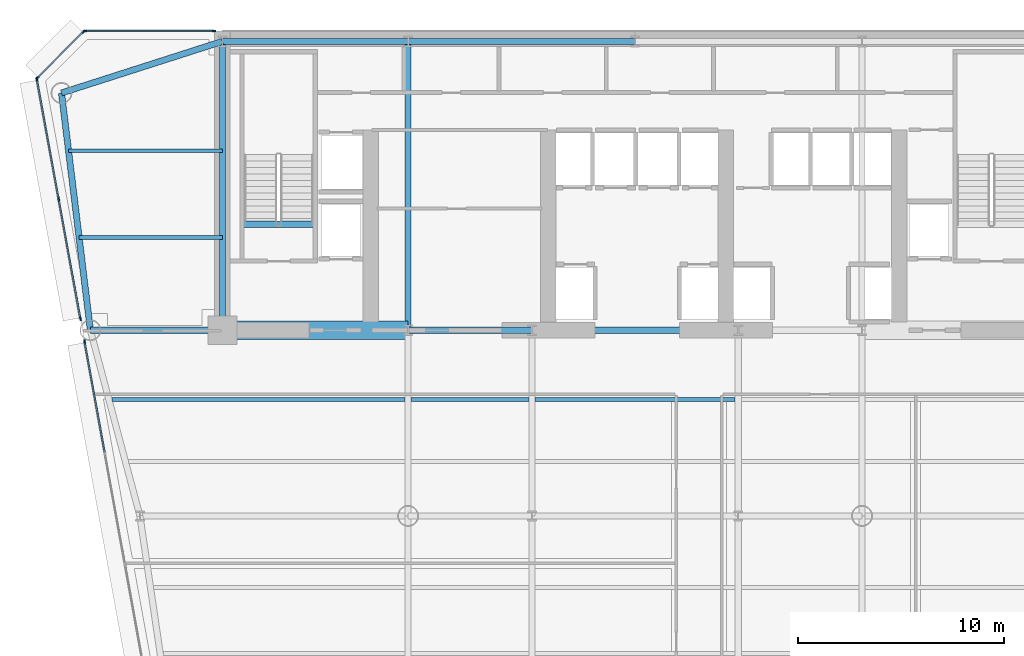
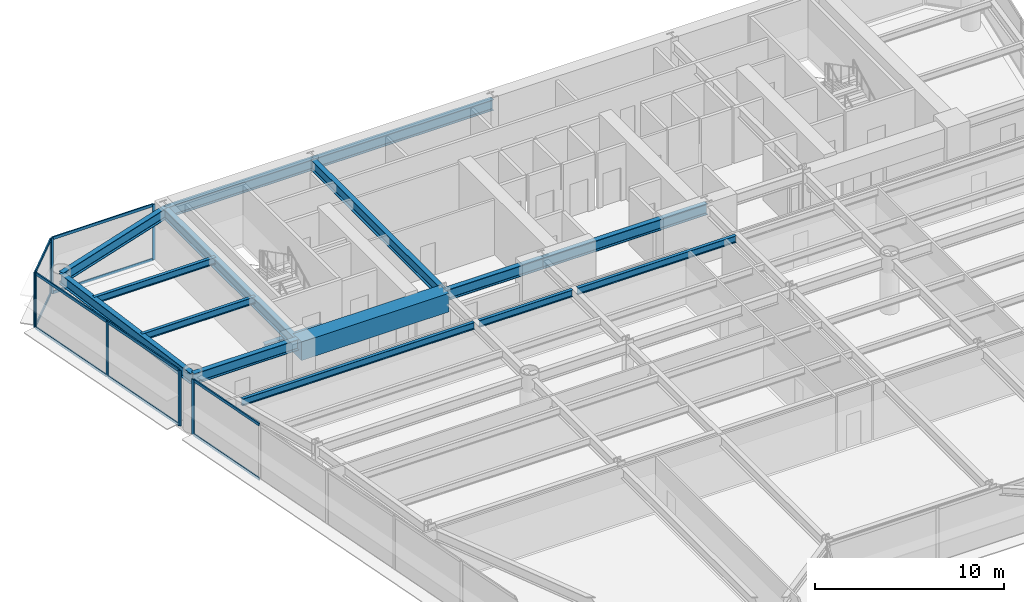
# One storey, part 5 of 14: 18 members, 16 beams, 4 elements without a shape of their own.
"""IFC4 building model written with IfcOpenShell, lengths in metres."""

from ifc_helpers import new_model, si_unit, direction, frame, origin, origin_2d, place, context, subcontext, project, spatial, rectangle, i_section, extrude, source, transform, mapped, material, layer, layer_set, material_profile, profile_set, type_object, element, aggregate, save


model = new_model("IFC4")

# Units and contexts
model_context = context("Model", 3, precision=1e-05, world=origin(), true_north=direction((0.0, 1.0)))
body_context = subcontext(model_context, "Body", "Model", "MODEL_VIEW")
ifc_project = project(units=[si_unit("LENGTHUNIT", "METRE"), si_unit("AREAUNIT", "SQUARE_METRE"), si_unit("VOLUMEUNIT", "CUBIC_METRE"), si_unit("PLANEANGLEUNIT", "RADIAN"), si_unit("MASSUNIT", "GRAM", prefix="KILO")], contexts=[model_context])

# Site, building, storey
site_placement = place(None, origin())
site = spatial("IfcSite", under=ifc_project, at=site_placement, CompositionType="ELEMENT")
building_placement = place(site_placement, origin())
building = spatial("IfcBuilding", under=site, at=building_placement, Name="Vaeldorn Concourse Tower", CompositionType="ELEMENT")
storey_placement = place(building_placement, frame((0.0, 0.0, 126.199951171875)))
storey = spatial("IfcBuildingStorey", under=building, at=storey_placement, Name="L32", CompositionType="ELEMENT", Elevation=126.199951171875)

# Beams
ifc_material_1 = material(Name="Concrete C60/75", Category="concrete")
ifc_material_profile_1 = material_profile(ifc_material_1, rectangle(XDim=0.89990234375, YDim=1.199951171875, at=origin_2d()), Name="RC 900x1200")
ifc_profile_set_1 = profile_set([ifc_material_profile_1], Name="Concrete C60/75")
beam_type_1 = type_object("IfcBeamType", Name="BM-CB-RC900", PredefinedType="BEAM", material=ifc_profile_set_1)
shared_shape_1 = source(origin(), body_context, "Body", "SweptSolid", [
    extrude(rectangle(XDim=0.89990234375, YDim=1.199951171875, at=origin_2d()), origin(), (0.0, 0.0, 1.0), 9.0),
])
beam_1_placement = place(storey_placement, frame((14.0, 36.5, 2.97998046875), z_axis=(1.0, 0.0, 0.0), x_axis=(0.0, 1.0, 0.0)))
element("IfcBeam", 1, at=beam_1_placement, inside=storey, type_object=beam_type_1, Name="Core Coupling Beam L32-1", PredefinedType="BEAM", context=body_context, shape_type="MappedRepresentation", body=[
    mapped(shared_shape_1, transform((0.0, 0.0, 0.0), scale=1.0)),
])
ifc_material_2 = material(Name="Steel S355", Category="steel")
ifc_material_profile_2 = material_profile(ifc_material_2, i_section(OverallWidth=0.300048828125, OverallDepth=0.340087890625, WebThickness=0.011962890625, FlangeThickness=0.021484375, FilletRadius=0.027099609375, at=origin_2d()), Name="HEB 340")
ifc_profile_set_2 = profile_set([ifc_material_profile_2], Name="Steel S355")
beam_type_2 = type_object("IfcBeamType", Name="BM-ST-TRIM", PredefinedType="BEAM", material=ifc_profile_set_2)
shared_shape_2 = source(origin(), body_context, "Body", "SweptSolid", [
    extrude(i_section(OverallWidth=0.300048828125, OverallDepth=0.340087890625, WebThickness=0.011962890625, FlangeThickness=0.021484375, FilletRadius=0.027099609375, at=origin_2d()), origin(), (0.0, 0.0, 1.0), 3.590087890625),
])
beam_2_placement = place(storey_placement, frame((14.929931640625, 41.639892578125, -0.389892578125), z_axis=(1.0, 0.0, 0.0), x_axis=(0.0, 1.0, 0.0)))
element("IfcBeam", 2, at=beam_2_placement, inside=storey, type_object=beam_type_2, Name="Stair Landing Trimmer Beam ST-1 L32", PredefinedType="BEAM", context=body_context, shape_type="MappedRepresentation", body=[
    mapped(shared_shape_2, transform((0.0, 0.0, 0.0), scale=1.0)),
])
ifc_material_profile_3 = material_profile(ifc_material_2, i_section(OverallWidth=0.300048828125, OverallDepth=0.699951171875, WebThickness=0.01708984375, FlangeThickness=0.031982421875, FilletRadius=0.027099609375, at=origin_2d()), Name="HEB 700")
ifc_profile_set_3 = profile_set([ifc_material_profile_3], Name="Steel S355")
beam_type_3 = type_object("IfcBeamType", Name="BM-PG-HEB700", PredefinedType="BEAM", material=ifc_profile_set_3)
shared_shape_3 = source(origin(), body_context, "Body", "SweptSolid", [
    extrude(i_section(OverallWidth=0.300048828125, OverallDepth=0.699951171875, WebThickness=0.01708984375, FlangeThickness=0.031982421875, FilletRadius=0.027099609375, at=origin_2d()), origin(), (0.0, 0.0, 1.0), 6.0),
])
beam_3_placement = place(storey_placement, frame((23.0, 36.5, 3.22998046875), z_axis=(1.0, 0.0, 0.0), x_axis=(0.0, 1.0, 0.0)))
element("IfcBeam", 3, at=beam_3_placement, inside=storey, type_object=beam_type_3, Name="Beam BM-L32-C-FC2-C-FC3", PredefinedType="BEAM", context=body_context, shape_type="MappedRepresentation", body=[
    mapped(shared_shape_3, transform((0.0, 0.0, 0.0), scale=1.0)),
])
shared_shape_4 = source(origin(), body_context, "Body", "SweptSolid", [
    extrude(i_section(OverallWidth=0.300048828125, OverallDepth=0.699951171875, WebThickness=0.01708984375, FlangeThickness=0.031982421875, FilletRadius=0.027099609375, at=origin_2d()), origin(), (0.0, 0.0, 1.0), 10.0),
])
beam_4_placement = place(storey_placement, frame((29.0, 36.5, 3.22998046875), z_axis=(1.0, 0.0, 0.0), x_axis=(0.0, 1.0, 0.0)))
element("IfcBeam", 4, at=beam_4_placement, inside=storey, type_object=beam_type_3, Name="Beam BM-L32-C-FC3-C-FC4", PredefinedType="BEAM", context=body_context, shape_type="MappedRepresentation", body=[
    mapped(shared_shape_4, transform((0.0, 0.0, 0.0), scale=1.0)),
])
shared_shape_5 = source(origin(), body_context, "Body", "SweptSolid", [
    extrude(i_section(OverallWidth=0.300048828125, OverallDepth=0.699951171875, WebThickness=0.01708984375, FlangeThickness=0.031982421875, FilletRadius=0.027099609375, at=origin_2d()), origin(), (0.0, 0.0, 1.0), 9.0),
])
beam_5_placement = place(storey_placement, frame((14.0, 50.5, 3.22998046875), z_axis=(1.0, 0.0, 0.0), x_axis=(0.0, 1.0, 0.0)))
element("IfcBeam", 5, at=beam_5_placement, inside=storey, type_object=beam_type_3, Name="Beam BM-L32-C-HC1-C-HC2", PredefinedType="BEAM", context=body_context, shape_type="MappedRepresentation", body=[
    mapped(shared_shape_5, transform((0.0, 0.0, 0.0), scale=1.0)),
])
shared_shape_6 = source(origin(), body_context, "Body", "SweptSolid", [
    extrude(i_section(OverallWidth=0.300048828125, OverallDepth=0.699951171875, WebThickness=0.01708984375, FlangeThickness=0.031982421875, FilletRadius=0.027099609375, at=origin_2d()), origin(), (0.0, 0.0, 1.0), 11.0),
])
beam_6_placement = place(storey_placement, frame((23.0, 50.5, 3.22998046875), z_axis=(1.0, 0.0, 0.0), x_axis=(0.0, 1.0, 0.0)))
element("IfcBeam", 6, at=beam_6_placement, inside=storey, type_object=beam_type_3, Name="Beam BM-L32-C-HC2-C-HC3", PredefinedType="BEAM", context=body_context, shape_type="MappedRepresentation", body=[
    mapped(shared_shape_6, transform((0.0, 0.0, 0.0), scale=1.0)),
])
shared_shape_7 = source(origin(), body_context, "Body", "SweptSolid", [
    extrude(i_section(OverallWidth=0.300048828125, OverallDepth=0.699951171875, WebThickness=0.01708984375, FlangeThickness=0.031982421875, FilletRadius=0.027099609375, at=origin_2d()), origin(), (0.0, 0.0, 1.0), 14.0),
])
for number, where, z_axis, x_axis, name in (
    (7, (14.0, 36.5, 3.22998046875), (0.0, 1.0, 0.0), (-1.0, 0.0, 0.0), "Beam BM-L32-C-FC1-C-HC1"),
    (8, (23.0, 36.5, 3.22998046875), (0.0, 1.0, 0.0), (-1.0, 0.0, 0.0), "Beam BM-L32-C-FC2-C-HC2"),
):
    element("IfcBeam", number, at=place(storey_placement, frame(where, z_axis=z_axis, x_axis=x_axis)), inside=storey, type_object=beam_type_3, Name=name, PredefinedType="BEAM", context=body_context, shape_type="MappedRepresentation", body=[
        mapped(shared_shape_7, transform((0.0, 0.0, 0.0), scale=1.0)),
    ])
shared_shape_8 = source(origin(), body_context, "Body", "SweptSolid", [
    extrude(i_section(OverallWidth=0.300048828125, OverallDepth=0.699951171875, WebThickness=0.01708984375, FlangeThickness=0.031982421875, FilletRadius=0.027099609375, at=origin_2d()), origin(), (0.0, 0.0, 1.0), 8.19091796875),
])
beam_7_placement = place(storey_placement, frame((6.199951171875, 48.0, 3.22998046875), z_axis=(0.952282843383, 0.305216949396, 0.0), x_axis=(-0.305216949396, 0.952282843383, 0.0)))
element("IfcBeam", 9, at=beam_7_placement, inside=storey, type_object=beam_type_3, Name="Beam BM-L32-C-NW1-C-HC1", PredefinedType="BEAM", context=body_context, shape_type="MappedRepresentation", body=[
    mapped(shared_shape_8, transform((0.0, 0.0, 0.0), scale=1.0)),
])
shared_shape_9 = source(origin(), body_context, "Body", "SweptSolid", [
    extrude(i_section(OverallWidth=0.300048828125, OverallDepth=0.699951171875, WebThickness=0.01708984375, FlangeThickness=0.031982421875, FilletRadius=0.027099609375, at=origin_2d()), origin(), (0.0, 0.0, 1.0), 11.5849609375),
])
beam_8_placement = place(storey_placement, frame((6.199951171875, 48.0, 3.22998046875), z_axis=(0.120859382899, -0.992669637677, 0.0), x_axis=(0.992669637677, 0.120859382899, 0.0)))
element("IfcBeam", 10, at=beam_8_placement, inside=storey, type_object=beam_type_3, Name="Beam BM-L32-C-NW1-C-NW2", PredefinedType="BEAM", context=body_context, shape_type="MappedRepresentation", body=[
    mapped(shared_shape_9, transform((0.0, 0.0, 0.0), scale=1.0)),
])
shared_shape_10 = source(origin(), body_context, "Body", "SweptSolid", [
    extrude(i_section(OverallWidth=0.300048828125, OverallDepth=0.699951171875, WebThickness=0.01708984375, FlangeThickness=0.031982421875, FilletRadius=0.027099609375, at=origin_2d()), origin(), (0.0, 0.0, 1.0), 6.39990234375),
])
beam_9_placement = place(storey_placement, frame((7.60009765625, 36.5, 3.22998046875), z_axis=(1.0, 0.0, 0.0), x_axis=(0.0, 1.0, 0.0)))
element("IfcBeam", 11, at=beam_9_placement, inside=storey, type_object=beam_type_3, Name="Beam BM-L32-C-NW2-C-FC1", PredefinedType="BEAM", context=body_context, shape_type="MappedRepresentation", body=[
    mapped(shared_shape_10, transform((0.0, 0.0, 0.0), scale=1.0)),
])
ifc_material_profile_4 = material_profile(ifc_material_2, i_section(OverallWidth=0.18994140625, OverallDepth=0.449951171875, WebThickness=0.009521484375, FlangeThickness=0.0146484375, FilletRadius=0.02099609375, at=origin_2d()), Name="IPE 450")
ifc_profile_set_4 = profile_set([ifc_material_profile_4], Name="Steel S355")
beam_type_4 = type_object("IfcBeamType", Name="BM-JS-IPE450", PredefinedType="JOIST", material=ifc_profile_set_4)
shared_shape_11 = source(origin(), body_context, "Body", "SweptSolid", [
    extrude(i_section(OverallWidth=0.18994140625, OverallDepth=0.449951171875, WebThickness=0.009521484375, FlangeThickness=0.0146484375, FilletRadius=0.02099609375, at=origin_2d()), origin(), (0.0, 0.0, 1.0), 5.7001953125),
])
beam_10_placement = place(storey_placement, frame((23.14990234375, 33.139892578125, 3.35498046875), z_axis=(1.0, 0.0, 0.0), x_axis=(0.0, 1.0, 0.0)))
element("IfcBeam", 12, at=beam_10_placement, inside=storey, type_object=beam_type_4, Name="Beam JS-L32-W2-331", PredefinedType="JOIST", context=body_context, shape_type="MappedRepresentation", body=[
    mapped(shared_shape_11, transform((0.0, 0.0, 0.0), scale=1.0)),
])
shared_shape_12 = source(origin(), body_context, "Body", "SweptSolid", [
    extrude(i_section(OverallWidth=0.18994140625, OverallDepth=0.449951171875, WebThickness=0.009521484375, FlangeThickness=0.0146484375, FilletRadius=0.02099609375, at=origin_2d()), origin(), (0.0, 0.0, 1.0), 9.7001953125),
])
beam_11_placement = place(storey_placement, frame((29.14990234375, 33.139892578125, 3.35498046875), z_axis=(1.0, 0.0, 0.0), x_axis=(0.0, 1.0, 0.0)))
element("IfcBeam", 13, at=beam_11_placement, inside=storey, type_object=beam_type_4, Name="Beam JS-L32-C-331", PredefinedType="JOIST", context=body_context, shape_type="MappedRepresentation", body=[
    mapped(shared_shape_12, transform((0.0, 0.0, 0.0), scale=1.0)),
])
shared_shape_13 = source(origin(), body_context, "Body", "SweptSolid", [
    extrude(i_section(OverallWidth=0.18994140625, OverallDepth=0.449951171875, WebThickness=0.009521484375, FlangeThickness=0.0146484375, FilletRadius=0.02099609375, at=origin_2d()), origin(), (0.0, 0.0, 1.0), 14.2041015625),
])
beam_12_placement = place(storey_placement, frame((8.64599609375, 33.139892578125, 3.35498046875), z_axis=(1.0, 0.0, 0.0), x_axis=(0.0, 1.0, 0.0)))
element("IfcBeam", 14, at=beam_12_placement, inside=storey, type_object=beam_type_4, Name="Beam JS-L32-W1-331", PredefinedType="JOIST", context=body_context, shape_type="MappedRepresentation", body=[
    mapped(shared_shape_13, transform((0.0, 0.0, 0.0), scale=1.0)),
])
shared_shape_14 = source(origin(), body_context, "Body", "SweptSolid", [
    extrude(i_section(OverallWidth=0.18994140625, OverallDepth=0.449951171875, WebThickness=0.009521484375, FlangeThickness=0.0146484375, FilletRadius=0.02099609375, at=origin_2d()), origin(), (0.0, 0.0, 1.0), 6.94775390625),
])
beam_13_placement = place(storey_placement, frame((7.05224609375, 41.0, 3.35498046875), z_axis=(1.0, 0.0, 0.0), x_axis=(0.0, 1.0, 0.0)))
element("IfcBeam", 15, at=beam_13_placement, inside=storey, type_object=beam_type_4, Name="Beam JS-L32-NW-410", PredefinedType="JOIST", context=body_context, shape_type="MappedRepresentation", body=[
    mapped(shared_shape_14, transform((0.0, 0.0, 0.0), scale=1.0)),
])
shared_shape_15 = source(origin(), body_context, "Body", "SweptSolid", [
    extrude(i_section(OverallWidth=0.18994140625, OverallDepth=0.449951171875, WebThickness=0.009521484375, FlangeThickness=0.0146484375, FilletRadius=0.02099609375, at=origin_2d()), origin(), (0.0, 0.0, 1.0), 7.458984375),
])
beam_14_placement = place(storey_placement, frame((6.541015625, 45.199951171875, 3.35498046875), z_axis=(1.0, 0.0, 0.0), x_axis=(0.0, 1.0, 0.0)))
element("IfcBeam", 16, at=beam_14_placement, inside=storey, type_object=beam_type_4, Name="Beam JS-L32-NW-452", PredefinedType="JOIST", context=body_context, shape_type="MappedRepresentation", body=[
    mapped(shared_shape_15, transform((0.0, 0.0, 0.0), scale=1.0)),
])

# Curtain wall, members
ifc_material_3 = material(Name="Anodised Bronze Aluminium", Category="aluminium")
ifc_layer = layer(ifc_material_3, 0.199951171875)
ifc_layer_set = layer_set([ifc_layer], Name="Anodised Bronze Aluminium")
curtain_wall_type = type_object("IfcCurtainWallType", Name="CW-SYS-02", PredefinedType="NOTDEFINED", material=ifc_layer_set)
curtain_wall_1_placement = place(storey_placement, origin())
curtain_wall_1 = element("IfcCurtainWall", 17, at=curtain_wall_1_placement, inside=storey, type_object=curtain_wall_type, Name="Unitised Curtain Wall CW-L32-E10-1", PredefinedType="NOTDEFINED")
ifc_material_profile_5 = material_profile(ifc_material_3, rectangle(XDim=0.074951171875, YDim=0.179931640625, at=origin_2d()), Name="CWT 75x180")
ifc_profile_set_5 = profile_set([ifc_material_profile_5], Name="Anodised Bronze Aluminium")
member_type_1 = type_object("IfcMemberType", Name="CWT-BRONZE-180", PredefinedType="USERDEFINED", material=ifc_profile_set_5)
shared_shape_16 = source(origin(), body_context, "Body", "SweptSolid", [
    extrude(rectangle(XDim=0.074951171875, YDim=0.179931640625, at=origin_2d()), origin(), (0.0, 0.0, 1.0), 3.10302734375),
])
member_1_placement = place(storey_placement, frame((7.2470703125, 50.947021484375, 0.03759765625), z_axis=(-0.707106781187, -0.707106781187, 0.0), x_axis=(0.707106781187, -0.707106781187, 0.0)))
member_1 = element("IfcMember", 18, at=member_1_placement, type_object=member_type_1, Name="CW-02 transom 1.1", ObjectType="TRANSOM", PredefinedType="USERDEFINED", context=body_context, shape_type="MappedRepresentation", body=[
    mapped(shared_shape_16, transform((0.0, 0.0, 0.0), scale=1.0)),
])
member_2_placement = place(storey_placement, frame((7.2470703125, 50.947021484375, 3.54248046875), z_axis=(-0.707106781187, -0.707106781187, 0.0), x_axis=(0.707106781187, -0.707106781187, 0.0)))
member_2 = element("IfcMember", 19, at=member_2_placement, type_object=member_type_1, Name="CW-02 transom 1.2", ObjectType="TRANSOM", PredefinedType="USERDEFINED", context=body_context, shape_type="MappedRepresentation", body=[
    mapped(shared_shape_16, transform((0.0, 0.0, 0.0), scale=1.0)),
])

curtain_wall_2_placement = place(storey_placement, origin())
curtain_wall_2 = element("IfcCurtainWall", 20, at=curtain_wall_2_placement, inside=storey, type_object=curtain_wall_type, Name="Unitised Curtain Wall CW-L32-E09-2", PredefinedType="NOTDEFINED")
ifc_material_profile_6 = material_profile(ifc_material_3, rectangle(XDim=0.074951171875, YDim=0.18994140625, at=origin_2d()), Name="CWM 75x190")
ifc_profile_set_6 = profile_set([ifc_material_profile_6], Name="Anodised Bronze Aluminium")
member_type_2 = type_object("IfcMemberType", Name="CWM-BRONZE-190", PredefinedType="MULLION", material=ifc_profile_set_6)
shared_shape_17 = source(origin(), body_context, "Body", "SweptSolid", [
    extrude(rectangle(XDim=0.074951171875, YDim=0.18994140625, at=origin_2d()), origin(), (0.0, 0.0, 1.0), 3.580078125),
])
member_3_placement = place(storey_placement, frame((13.592529296875, 51.0, 0.0), z_axis=(0.0, 0.0, 1.0), x_axis=(0.0, -1.0, 0.0)))
member_3 = element("IfcMember", 21, at=member_3_placement, type_object=member_type_2, Name="CW-02 mullion 1", PredefinedType="MULLION", context=body_context, shape_type="MappedRepresentation", body=[
    mapped(shared_shape_17, transform((0.0, 0.0, 0.0), scale=1.0)),
])
member_4_placement = place(storey_placement, frame((7.33740234375, 51.0, 0.0), z_axis=(0.0, 0.0, 1.0), x_axis=(0.0, -1.0, 0.0)))
member_4 = element("IfcMember", 22, at=member_4_placement, type_object=member_type_2, Name="CW-02 mullion 2", PredefinedType="MULLION", context=body_context, shape_type="MappedRepresentation", body=[
    mapped(shared_shape_17, transform((0.0, 0.0, 0.0), scale=1.0)),
])

# Member
member_5_placement = place(storey_placement, frame((7.2734375, 50.973388671875, 0.0), z_axis=(0.0, 0.0, 1.0), x_axis=(0.707106781187, -0.707106781187, 0.0)))
member_5 = element("IfcMember", 23, at=member_5_placement, type_object=member_type_2, Name="CW-02 mullion 1", PredefinedType="MULLION", context=body_context, shape_type="MappedRepresentation", body=[
    mapped(shared_shape_17, transform((0.0, 0.0, 0.0), scale=1.0)),
])

member_6_placement = place(storey_placement, frame((5.026611328125, 48.7265625, 0.0), z_axis=(0.0, 0.0, 1.0), x_axis=(0.707106781187, -0.707106781187, 0.0)))
member_6 = element("IfcMember", 24, at=member_6_placement, type_object=member_type_2, Name="CW-02 mullion 2", PredefinedType="MULLION", context=body_context, shape_type="MappedRepresentation", body=[
    mapped(shared_shape_17, transform((0.0, 0.0, 0.0), scale=1.0)),
])

aggregate(curtain_wall_1, [member_5, member_6, member_1, member_2])

# Curtain wall, members
curtain_wall_3_placement = place(storey_placement, origin())
curtain_wall_3 = element("IfcCurtainWall", 25, at=curtain_wall_3_placement, inside=storey, type_object=curtain_wall_type, Name="Unitised Curtain Wall CW-L32-E11-1", PredefinedType="NOTDEFINED")
member_7_placement = place(storey_placement, frame((5.006591796875, 48.6630859375, 0.0), z_axis=(0.0, 0.0, 1.0), x_axis=(0.983874356687, 0.178860980243, 0.0)))
member_7 = element("IfcMember", 26, at=member_7_placement, type_object=member_type_2, Name="CW-02 mullion 1", PredefinedType="MULLION", context=body_context, shape_type="MappedRepresentation", body=[
    mapped(shared_shape_17, transform((0.0, 0.0, 0.0), scale=1.0)),
])
member_8_placement = place(storey_placement, frame((6.061767578125, 42.85888671875, 0.0), z_axis=(0.0, 0.0, 1.0), x_axis=(0.983874356687, 0.178860980243, 0.0)))
member_8 = element("IfcMember", 27, at=member_8_placement, type_object=member_type_2, Name="CW-02 mullion 2", PredefinedType="MULLION", context=body_context, shape_type="MappedRepresentation", body=[
    mapped(shared_shape_17, transform((0.0, 0.0, 0.0), scale=1.0)),
])
member_9_placement = place(storey_placement, frame((7.116943359375, 37.054931640625, 0.0), z_axis=(0.0, 0.0, 1.0), x_axis=(0.983874356687, 0.178860980243, 0.0)))
member_9 = element("IfcMember", 28, at=member_9_placement, type_object=member_type_2, Name="CW-02 mullion 3", PredefinedType="MULLION", context=body_context, shape_type="MappedRepresentation", body=[
    mapped(shared_shape_17, transform((0.0, 0.0, 0.0), scale=1.0)),
])

# Curtain wall, member
curtain_wall_4_placement = place(storey_placement, origin())
curtain_wall_4 = element("IfcCurtainWall", 29, at=curtain_wall_4_placement, inside=storey, type_object=curtain_wall_type, Name="Unitised Curtain Wall CW-L32-E11-2", PredefinedType="NOTDEFINED")
member_10_placement = place(storey_placement, frame((7.318603515625, 35.945068359375, 0.0), z_axis=(0.0, 0.0, 1.0), x_axis=(0.983874464726, 0.178860385943, 0.0)))
member_10 = element("IfcMember", 30, at=member_10_placement, type_object=member_type_2, Name="CW-02 mullion 1", PredefinedType="MULLION", context=body_context, shape_type="MappedRepresentation", body=[
    mapped(shared_shape_17, transform((0.0, 0.0, 0.0), scale=1.0)),
])

# Member
shared_shape_18 = source(origin(), body_context, "Body", "SweptSolid", [
    extrude(rectangle(XDim=0.074951171875, YDim=0.179931640625, at=origin_2d()), origin(), (0.0, 0.0, 1.0), 6.179931640625),
])
member_11_placement = place(storey_placement, frame((13.554931640625, 51.0, 0.03759765625), z_axis=(-1.0, 0.0, 0.0), x_axis=(0.0, -1.0, 0.0)))
member_11 = element("IfcMember", 31, at=member_11_placement, type_object=member_type_1, Name="CW-02 transom 1.1", ObjectType="TRANSOM", PredefinedType="USERDEFINED", context=body_context, shape_type="MappedRepresentation", body=[
    mapped(shared_shape_18, transform((0.0, 0.0, 0.0), scale=1.0)),
])

member_12_placement = place(storey_placement, frame((13.554931640625, 51.0, 3.54248046875), z_axis=(-1.0, 0.0, 0.0), x_axis=(0.0, -1.0, 0.0)))
member_12 = element("IfcMember", 32, at=member_12_placement, type_object=member_type_1, Name="CW-02 transom 1.2", ObjectType="TRANSOM", PredefinedType="USERDEFINED", context=body_context, shape_type="MappedRepresentation", body=[
    mapped(shared_shape_18, transform((0.0, 0.0, 0.0), scale=1.0)),
])

aggregate(curtain_wall_2, [member_3, member_4, member_11, member_12])

shared_shape_19 = source(origin(), body_context, "Body", "SweptSolid", [
    extrude(rectangle(XDim=0.074951171875, YDim=0.179931640625, at=origin_2d()), origin(), (0.0, 0.0, 1.0), 5.82421875),
])
member_13_placement = place(storey_placement, frame((5.013427734375, 48.626220703125, 0.03759765625), z_axis=(0.178866993951, -0.983873263421, 0.0), x_axis=(0.983873263421, 0.178866993951, 0.0)))
member_13 = element("IfcMember", 33, at=member_13_placement, type_object=member_type_1, Name="CW-02 transom 1.1", ObjectType="TRANSOM", PredefinedType="USERDEFINED", context=body_context, shape_type="MappedRepresentation", body=[
    mapped(shared_shape_19, transform((0.0, 0.0, 0.0), scale=1.0)),
])

member_14_placement = place(storey_placement, frame((5.013427734375, 48.626220703125, 3.54248046875), z_axis=(0.178866993951, -0.983873263421, 0.0), x_axis=(0.983873263421, 0.178866993951, 0.0)))
member_14 = element("IfcMember", 34, at=member_14_placement, type_object=member_type_1, Name="CW-02 transom 1.2", ObjectType="TRANSOM", PredefinedType="USERDEFINED", context=body_context, shape_type="MappedRepresentation", body=[
    mapped(shared_shape_19, transform((0.0, 0.0, 0.0), scale=1.0)),
])

member_15_placement = place(storey_placement, frame((6.068603515625, 42.822021484375, 0.03759765625), z_axis=(0.178866993951, -0.983873263421, 0.0), x_axis=(0.983873263421, 0.178866993951, 0.0)))
member_15 = element("IfcMember", 35, at=member_15_placement, type_object=member_type_1, Name="CW-02 transom 2.1", ObjectType="TRANSOM", PredefinedType="USERDEFINED", context=body_context, shape_type="MappedRepresentation", body=[
    mapped(shared_shape_19, transform((0.0, 0.0, 0.0), scale=1.0)),
])

member_16_placement = place(storey_placement, frame((6.068603515625, 42.822021484375, 3.54248046875), z_axis=(0.178866993951, -0.983873263421, 0.0), x_axis=(0.983873263421, 0.178866993951, 0.0)))
member_16 = element("IfcMember", 36, at=member_16_placement, type_object=member_type_1, Name="CW-02 transom 2.2", ObjectType="TRANSOM", PredefinedType="USERDEFINED", context=body_context, shape_type="MappedRepresentation", body=[
    mapped(shared_shape_19, transform((0.0, 0.0, 0.0), scale=1.0)),
])

aggregate(curtain_wall_3, [member_7, member_8, member_9, member_13, member_14, member_15, member_16])

shared_shape_20 = source(origin(), body_context, "Body", "SweptSolid", [
    extrude(rectangle(XDim=0.074951171875, YDim=0.179931640625, at=origin_2d()), origin(), (0.0, 0.0, 1.0), 5.390625),
])
member_17_placement = place(storey_placement, frame((7.325439453125, 35.908203125, 0.03759765625), z_axis=(0.17884956853, -0.983876431183, 0.0), x_axis=(0.983876431183, 0.17884956853, 0.0)))
member_17 = element("IfcMember", 37, at=member_17_placement, type_object=member_type_1, Name="CW-02 transom 1.1", ObjectType="TRANSOM", PredefinedType="USERDEFINED", context=body_context, shape_type="MappedRepresentation", body=[
    mapped(shared_shape_20, transform((0.0, 0.0, 0.0), scale=1.0)),
])

member_18_placement = place(storey_placement, frame((7.325439453125, 35.908203125, 3.54248046875), z_axis=(0.17884956853, -0.983876431183, 0.0), x_axis=(0.983876431183, 0.17884956853, 0.0)))
member_18 = element("IfcMember", 38, at=member_18_placement, type_object=member_type_1, Name="CW-02 transom 1.2", ObjectType="TRANSOM", PredefinedType="USERDEFINED", context=body_context, shape_type="MappedRepresentation", body=[
    mapped(shared_shape_20, transform((0.0, 0.0, 0.0), scale=1.0)),
])

aggregate(curtain_wall_4, [member_10, member_17, member_18])

save(model, "model.ifc")
